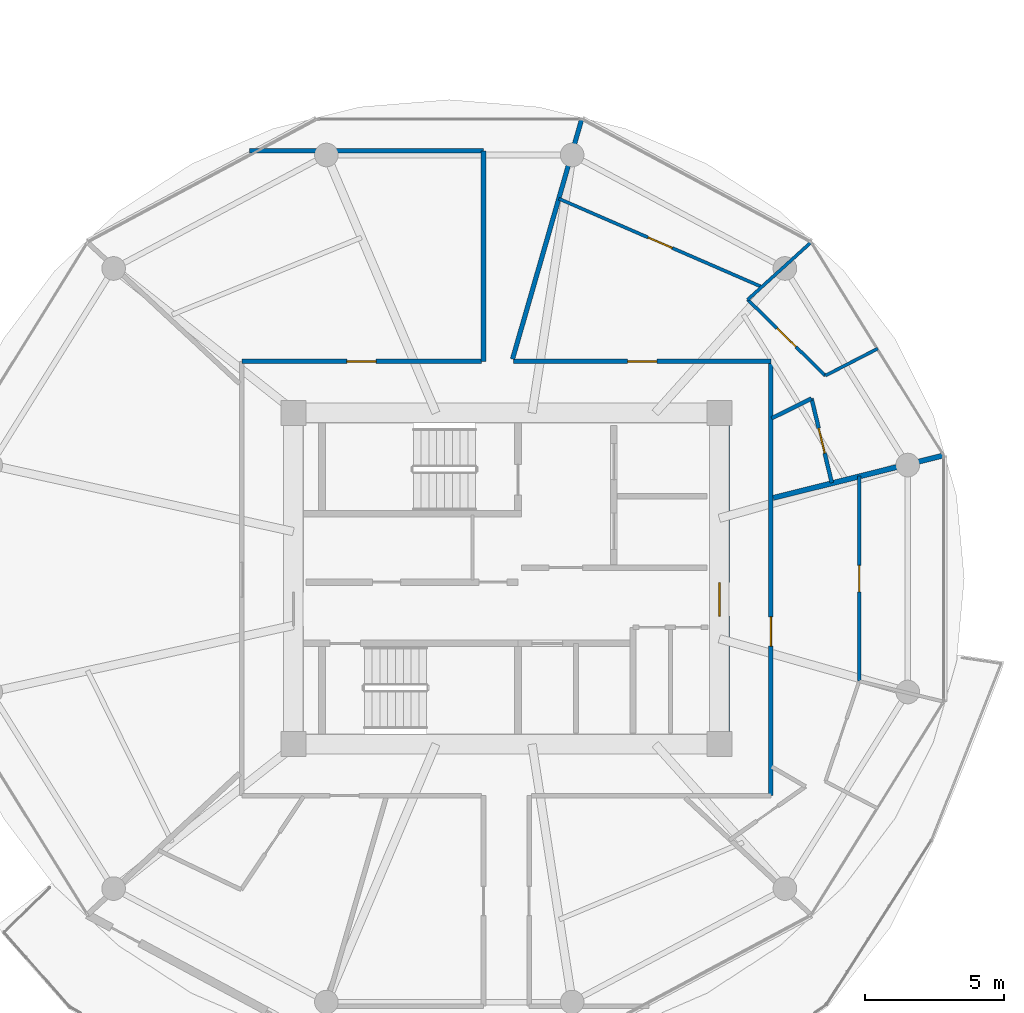
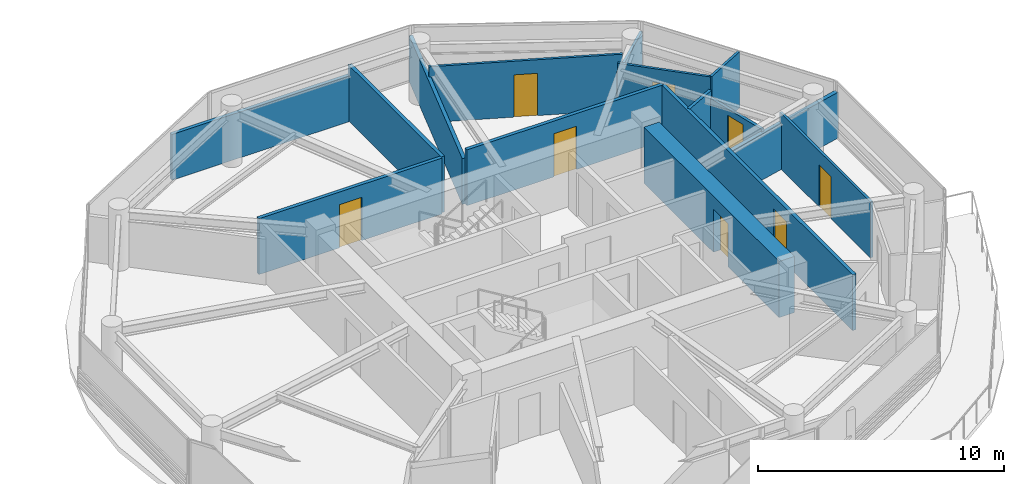
# One storey, part 17 of 24: 15 walls, 8 doors, 8 openings.
"""IFC4 building model written with IfcOpenShell, lengths in metres."""

from ifc_helpers import new_model, si_unit, direction, frame, frame_2d, origin, place, context, subcontext, project, spatial, rectangle, extrude, source, transform, mapped, material, layer, layer_set, type_object, type_shapes, element, fill, save


model = new_model("IFC4")

# Units and contexts
model_context = context("Model", 3, precision=1e-05, world=origin(), true_north=direction((0.0, 1.0)))
body_context = subcontext(model_context, "Body", "Model", "MODEL_VIEW")
ifc_project = project(units=[si_unit("LENGTHUNIT", "METRE"), si_unit("AREAUNIT", "SQUARE_METRE"), si_unit("VOLUMEUNIT", "CUBIC_METRE"), si_unit("PLANEANGLEUNIT", "RADIAN"), si_unit("MASSUNIT", "GRAM", prefix="KILO")], contexts=[model_context])

# Site, building, storey
site_placement = place(None, origin())
site = spatial("IfcSite", under=ifc_project, at=site_placement, CompositionType="ELEMENT")
building_placement = place(site_placement, origin())
building = spatial("IfcBuilding", under=site, at=building_placement, Name="Norrkilde Senior Care Towers", CompositionType="ELEMENT")
storey_placement = place(building_placement, frame((0.0, 0.0, 90.14990234375)))
storey = spatial("IfcBuildingStorey", under=building, at=storey_placement, Name="L27", CompositionType="ELEMENT", Elevation=90.14990234375)

# Wall, opening, door
ifc_material_1 = material(Name="Concrete C60/75", Category="concrete")
ifc_layer_1 = layer(ifc_material_1, 0.719970703125)
ifc_layer_set_1 = layer_set([ifc_layer_1], Name="Concrete C60/75")
wall_type_1 = type_object("IfcWallType", Name="Core Shear Wall Z2 720", PredefinedType="SHEAR", material=ifc_layer_set_1)
shared_shape_1 = source(origin(), body_context, "Body", "SweptSolid", [
    extrude(rectangle(XDim=11.0, YDim=0.719970703125, at=frame_2d((5.5, 0.0))), origin(), (0.0, 0.0, 1.0), 2.7900390625),
])
type_shapes(wall_type_1, [shared_shape_1])
wall_1_placement = place(storey_placement, frame((35.64990234375, 5.5, 0.0), z_axis=(0.0, 0.0, 1.0), x_axis=(0.0, -1.0, 0.0)))
wall_1 = element("IfcWall", 1, at=wall_1_placement, inside=storey, type_object=wall_type_1, Name="L27 Core E East Shear Wall", PredefinedType="SHEAR", context=body_context, shape_type="MappedRepresentation", body=[
    mapped(shared_shape_1, transform((0.0, 0.0, 0.0), x_axis=(1.0, 0.0, 0.0), y_axis=(0.0, 1.0, 0.0), z_axis=(0.0, 0.0, 1.0), scale=1.0)),
])
opening_1_placement = place(wall_1_placement, frame((5.64990234375, 0.0, 0.0)))
opening_1 = element("IfcOpeningElement", 2, at=opening_1_placement, cuts=wall_1, Name="Opening D-04", PredefinedType="OPENING", context=body_context, shape_type="SweptSolid", body=[
    extrude(rectangle(XDim=1.199951171875, YDim=2.14990234375, at=frame_2d((0.60009765625, 1.074951171875))), frame((0.0, 0.369873046875, 0.0), z_axis=(0.0, -1.0, 0.0), x_axis=(1.0, 0.0, 0.0)), (0.0, 0.0, 1.0), 0.739990234375),
])
ifc_material_2 = material(Name="Galvanised Painted Steel", Category="steel")
door_type_1 = type_object("IfcDoorType", Name="Firefighting Lobby Fire Door 1200x2150", OperationType="NOTDEFINED", PredefinedType="DOOR", material=ifc_material_2)
shared_shape_2 = source(origin(), body_context, "Body", "SweptSolid", [
    extrude(rectangle(XDim=1.199951171875, YDim=2.14990234375, at=frame_2d((0.60009765625, 1.074951171875))), frame((0.0, 0.02490234375, 0.0), z_axis=(0.0, -1.0, 0.0), x_axis=(1.0, 0.0, 0.0)), (0.0, 0.0, 1.0), 0.050048828125),
])
type_shapes(door_type_1, [shared_shape_2])
door_1_placement = place(opening_1_placement, frame((1.199951171875, 0.0, 0.0), z_axis=(0.0, 0.0, 1.0), x_axis=(-1.0, 0.0, 0.0)))
door_1 = element("IfcDoor", 3, at=door_1_placement, inside=storey, type_object=door_type_1, Name="L27 Core E East Portal Door", OperationType="SINGLE_SWING_RIGHT", OverallHeight=2.14990234375, OverallWidth=1.199951171875, PredefinedType="DOOR", context=body_context, shape_type="MappedRepresentation", body=[
    mapped(shared_shape_2, transform((0.0, 0.0, 0.0), x_axis=(1.0, 0.0, 0.0), y_axis=(0.0, 1.0, 0.0), z_axis=(0.0, 0.0, 1.0), scale=1.0)),
])
fill(opening_1, door_1)

ifc_material_3 = material(Name="Gypsum Acoustic Board")
ifc_layer_2 = layer(ifc_material_3, 0.1650390625)
ifc_layer_set_2 = layer_set([ifc_layer_2], Name="Gypsum Acoustic Board")
wall_type_2 = type_object("IfcWallType", Name="Corridor Rated Partition 165", PredefinedType="PARTITIONING", material=ifc_layer_set_2)
shared_shape_3 = source(origin(), body_context, "Body", "SweptSolid", [
    extrude(rectangle(XDim=15.60009765625, YDim=0.1650390625, at=frame_2d((7.800048828125, 0.0))), origin(), (0.0, 0.0, 1.0), 2.775146484375),
])
wall_2_placement = place(storey_placement, frame((37.5, 7.800048828125, 0.0), z_axis=(0.0, 0.0, 1.0), x_axis=(0.0, -1.0, 0.0)))
wall_2 = element("IfcWall", 4, at=wall_2_placement, inside=storey, type_object=wall_type_2, Name="WL-INT-L27-E-CRW-E-0", PredefinedType="PARTITIONING", context=body_context, shape_type="MappedRepresentation", body=[
    mapped(shared_shape_3, transform((0.0, 0.0, 0.0), x_axis=(1.0, 0.0, 0.0), y_axis=(0.0, 1.0, 0.0), z_axis=(0.0, 0.0, 1.0), scale=1.0)),
])
opening_2_placement = place(wall_2_placement, frame((9.177001953125, 0.0, 0.0)))
opening_2 = element("IfcOpeningElement", 5, at=opening_2_placement, cuts=wall_2, Name="Opening D-06", PredefinedType="OPENING", context=body_context, shape_type="SweptSolid", body=[
    extrude(rectangle(XDim=1.050048828125, YDim=2.14990234375, at=frame_2d((0.52490234375, 1.074951171875))), frame((0.0, 0.092529296875, 0.0), z_axis=(0.0, -1.0, 0.0), x_axis=(1.0, 0.0, 0.0)), (0.0, 0.0, 1.0), 0.18505859375),
])
ifc_material_4 = material(Name="Nordic Ash Timber", Category="wood")
door_type_2 = type_object("IfcDoorType", Name="Apartment Entrance Fire Door 1050x2150", OperationType="NOTDEFINED", PredefinedType="DOOR", material=ifc_material_4)
shared_shape_4 = source(origin(), body_context, "Body", "SweptSolid", [
    extrude(rectangle(XDim=1.050048828125, YDim=2.14990234375, at=frame_2d((0.52490234375, 1.074951171875))), frame((0.0, 0.02490234375, 0.0), z_axis=(0.0, -1.0, 0.0), x_axis=(1.0, 0.0, 0.0)), (0.0, 0.0, 1.0), 0.050048828125),
])
type_shapes(door_type_2, [shared_shape_4])
door_2_placement = place(opening_2_placement, frame((1.050048828125, 0.0, 0.0), z_axis=(0.0, 0.0, 1.0), x_axis=(-1.0, 0.0, 0.0)))
door_2 = element("IfcDoor", 6, at=door_2_placement, inside=storey, type_object=door_type_2, Name="Apartment 27C Entrance Door", OperationType="SINGLE_SWING_LEFT", OverallHeight=2.14990234375, OverallWidth=1.050048828125, PredefinedType="DOOR", context=body_context, shape_type="MappedRepresentation", body=[
    mapped(shared_shape_4, transform((0.0, 0.0, 0.0), x_axis=(1.0, 0.0, 0.0), y_axis=(0.0, 1.0, 0.0), z_axis=(0.0, 0.0, 1.0), scale=1.0)),
])
fill(opening_2, door_2)

# Wall
ifc_layer_3 = layer(ifc_material_3, 0.18994140625)
ifc_layer_set_3 = layer_set([ifc_layer_3], Name="Gypsum Acoustic Board")
wall_type_3 = type_object("IfcWallType", Name="Unit Demising Acoustic Wall 190", PredefinedType="PARTITIONING", material=ifc_layer_set_3)
shared_shape_5 = source(origin(), body_context, "Body", "SweptSolid", [
    extrude(rectangle(XDim=6.33056640625, YDim=0.18994140625, at=frame_2d((3.165283203125, 0.0))), origin(), (0.0, 0.0, 1.0), 2.275146484375),
])
type_shapes(wall_type_3, [shared_shape_5])
wall_3_placement = place(storey_placement, frame((37.580078125, 2.89599609375, 0.0), z_axis=(0.0, 0.0, 1.0), x_axis=(0.97036440661, 0.241646267062, 0.0)))
element("IfcWall", 7, at=wall_3_placement, inside=storey, type_object=wall_type_3, Name="WL-INT-L27-E-DEM-00-0", PredefinedType="PARTITIONING", context=body_context, shape_type="MappedRepresentation", body=[
    mapped(shared_shape_5, transform((0.0, 0.0, 0.0), x_axis=(1.0, 0.0, 0.0), y_axis=(0.0, 1.0, 0.0), z_axis=(0.0, 0.0, 1.0), scale=1.0)),
])

# Wall, opening, door
ifc_layer_4 = layer(ifc_material_3, 0.139892578125)
ifc_layer_set_4 = layer_set([ifc_layer_4], Name="Gypsum Acoustic Board")
wall_type_4 = type_object("IfcWallType", Name="En-suite Wet Room Wall 140", PredefinedType="PARTITIONING", material=ifc_layer_set_4)
shared_shape_6 = source(origin(), body_context, "Body", "SweptSolid", [
    extrude(rectangle(XDim=3.111572265625, YDim=0.139892578125, at=frame_2d((1.5556640625, 0.0))), origin(), (0.0, 0.0, 1.0), 2.4150390625),
])
wall_4_placement = place(storey_placement, frame((38.963134765625, 6.4658203125, 0.0), z_axis=(0.0, 0.0, 1.0), x_axis=(0.233737944029, -0.972299631555, 0.0)))
wall_4 = element("IfcWall", 8, at=wall_4_placement, inside=storey, type_object=wall_type_4, Name="WL-INT-L27-E-UBTF-00", PredefinedType="PARTITIONING", context=body_context, shape_type="MappedRepresentation", body=[
    mapped(shared_shape_6, transform((0.0, 0.0, 0.0), x_axis=(1.0, 0.0, 0.0), y_axis=(0.0, 1.0, 0.0), z_axis=(0.0, 0.0, 1.0), scale=1.0)),
])
opening_3_placement = place(wall_4_placement, frame((1.095703125, 0.0, 0.0)))
opening_3 = element("IfcOpeningElement", 9, at=opening_3_placement, cuts=wall_4, Name="Opening D-08", PredefinedType="OPENING", context=body_context, shape_type="SweptSolid", body=[
    extrude(rectangle(XDim=0.919921875, YDim=2.10009765625, at=frame_2d((0.4599609375, 1.050048828125))), frame((0.0, 0.079833984375, 0.0), z_axis=(0.0, -1.0, 0.0), x_axis=(1.0, 0.0, 0.0)), (0.0, 0.0, 1.0), 0.159912109375),
])
door_type_3 = type_object("IfcDoorType", Name="Accessible Wet Room Door 920x2100", OperationType="NOTDEFINED", PredefinedType="DOOR", material=ifc_material_4)
shared_shape_7 = source(origin(), body_context, "Body", "SweptSolid", [
    extrude(rectangle(XDim=0.919921875, YDim=2.10009765625, at=frame_2d((0.4599609375, 1.050048828125))), frame((0.0, 0.02490234375, 0.0), z_axis=(0.0, -1.0, 0.0), x_axis=(1.0, 0.0, 0.0)), (0.0, 0.0, 1.0), 0.050048828125),
])
type_shapes(door_type_3, [shared_shape_7])
door_3_placement = place(opening_3_placement, origin())
door_3 = element("IfcDoor", 10, at=door_3_placement, inside=storey, type_object=door_type_3, Name="Apartment 27D Bathroom Door", OperationType="SINGLE_SWING_RIGHT", OverallHeight=2.10009765625, OverallWidth=0.919921875, PredefinedType="DOOR", context=body_context, shape_type="MappedRepresentation", body=[
    mapped(shared_shape_7, transform((0.0, 0.0, 0.0), x_axis=(1.0, 0.0, 0.0), y_axis=(0.0, 1.0, 0.0), z_axis=(0.0, 0.0, 1.0), scale=1.0)),
])
fill(opening_3, door_3)

shared_shape_8 = source(origin(), body_context, "Body", "SweptSolid", [
    extrude(rectangle(XDim=8.60009765625, YDim=0.1650390625, at=frame_2d((4.300048828125, 0.0))), origin(), (0.0, 0.0, 1.0), 2.775146484375),
])
wall_5_placement = place(storey_placement, frame((18.5, 7.800048828125, 0.0), z_axis=(0.0, 0.0, 1.0), x_axis=(1.0, 0.0, 0.0)))
wall_5 = element("IfcWall", 11, at=wall_5_placement, inside=storey, type_object=wall_type_2, Name="WL-INT-L27-E-CRW-N-0", PredefinedType="PARTITIONING", context=body_context, shape_type="MappedRepresentation", body=[
    mapped(shared_shape_8, transform((0.0, 0.0, 0.0), x_axis=(1.0, 0.0, 0.0), y_axis=(0.0, 1.0, 0.0), z_axis=(0.0, 0.0, 1.0), scale=1.0)),
])
opening_4_placement = place(wall_5_placement, frame((3.77490234375, 0.0, 0.0)))
opening_4 = element("IfcOpeningElement", 12, at=opening_4_placement, cuts=wall_5, Name="Opening D-06", PredefinedType="OPENING", context=body_context, shape_type="SweptSolid", body=[
    extrude(rectangle(XDim=1.050048828125, YDim=2.14990234375, at=frame_2d((0.52490234375, 1.074951171875))), frame((0.0, 0.092529296875, 0.0), z_axis=(0.0, -1.0, 0.0), x_axis=(1.0, 0.0, 0.0)), (0.0, 0.0, 1.0), 0.18505859375),
])
door_4_placement = place(opening_4_placement, frame((1.050048828125, 0.0, 0.0), z_axis=(0.0, 0.0, 1.0), x_axis=(-1.0, 0.0, 0.0)))
door_4 = element("IfcDoor", 13, at=door_4_placement, inside=storey, type_object=door_type_2, Name="L27 Reading Lounge NWL Door", OperationType="SINGLE_SWING_RIGHT", OverallHeight=2.14990234375, OverallWidth=1.050048828125, PredefinedType="DOOR", context=body_context, shape_type="MappedRepresentation", body=[
    mapped(shared_shape_4, transform((0.0, 0.0, 0.0), x_axis=(1.0, 0.0, 0.0), y_axis=(0.0, 1.0, 0.0), z_axis=(0.0, 0.0, 1.0), scale=1.0)),
])
fill(opening_4, door_4)

shared_shape_9 = source(origin(), body_context, "Body", "SweptSolid", [
    extrude(rectangle(XDim=9.234130859375, YDim=0.1650390625, at=frame_2d((4.6171875, 0.0))), origin(), (0.0, 0.0, 1.0), 2.775146484375),
])
wall_6_placement = place(storey_placement, frame((28.265869140625, 7.800048828125, 0.0), z_axis=(0.0, 0.0, 1.0), x_axis=(1.0, 0.0, 0.0)))
wall_6 = element("IfcWall", 14, at=wall_6_placement, inside=storey, type_object=wall_type_2, Name="WL-INT-L27-E-CRW-N-1", PredefinedType="PARTITIONING", context=body_context, shape_type="MappedRepresentation", body=[
    mapped(shared_shape_9, transform((0.0, 0.0, 0.0), x_axis=(1.0, 0.0, 0.0), y_axis=(0.0, 1.0, 0.0), z_axis=(0.0, 0.0, 1.0), scale=1.0)),
])
opening_5_placement = place(wall_6_placement, frame((4.092041015625, 0.0, 0.0)))
opening_5 = element("IfcOpeningElement", 15, at=opening_5_placement, cuts=wall_6, Name="Opening D-06", PredefinedType="OPENING", context=body_context, shape_type="SweptSolid", body=[
    extrude(rectangle(XDim=1.050048828125, YDim=2.14990234375, at=frame_2d((0.52490234375, 1.074951171875))), frame((0.0, 0.092529296875, 0.0), z_axis=(0.0, -1.0, 0.0), x_axis=(1.0, 0.0, 0.0)), (0.0, 0.0, 1.0), 0.18505859375),
])
door_5_placement = place(opening_5_placement, frame((1.050048828125, 0.0, 0.0), z_axis=(0.0, 0.0, 1.0), x_axis=(-1.0, 0.0, 0.0)))
door_5 = element("IfcDoor", 16, at=door_5_placement, inside=storey, type_object=door_type_2, Name="Apartment 27D Entrance Door", OperationType="SINGLE_SWING_LEFT", OverallHeight=2.14990234375, OverallWidth=1.050048828125, PredefinedType="DOOR", context=body_context, shape_type="MappedRepresentation", body=[
    mapped(shared_shape_4, transform((0.0, 0.0, 0.0), x_axis=(1.0, 0.0, 0.0), y_axis=(0.0, 1.0, 0.0), z_axis=(0.0, 0.0, 1.0), scale=1.0)),
])
fill(opening_5, door_5)

# Walls
shared_shape_10 = source(origin(), body_context, "Body", "SweptSolid", [
    extrude(rectangle(XDim=8.9892578125, YDim=0.1650390625, at=frame_2d((4.49462890625, 0.0))), origin(), (0.0, 0.0, 1.0), 2.275146484375),
])
wall_7_placement = place(storey_placement, frame((28.221923828125, 7.8798828125, 0.0), z_axis=(0.0, 0.0, 1.0), x_axis=(0.27702323008, 0.960863221274, 0.0)))
element("IfcWall", 17, at=wall_7_placement, inside=storey, type_object=wall_type_2, Name="WL-INT-L27-E-DEM-02-0", PredefinedType="PARTITIONING", context=body_context, shape_type="MappedRepresentation", body=[
    mapped(shared_shape_10, transform((0.0, 0.0, 0.0), x_axis=(1.0, 0.0, 0.0), y_axis=(0.0, 1.0, 0.0), z_axis=(0.0, 0.0, 1.0), scale=1.0)),
])
shared_shape_11 = source(origin(), body_context, "Body", "SweptSolid", [
    extrude(rectangle(XDim=7.56005859375, YDim=0.1650390625, at=frame_2d((3.780029296875, 0.0))), origin(), (0.0, 0.0, 1.0), 2.775146484375),
])
wall_8_placement = place(storey_placement, frame((27.179931640625, 7.800048828125, 0.0), z_axis=(0.0, 0.0, 1.0), x_axis=(0.0, 1.0, 0.0)))
element("IfcWall", 18, at=wall_8_placement, inside=storey, type_object=wall_type_2, Name="WL-INT-L27-E-PKW-NWL", PredefinedType="PARTITIONING", context=body_context, shape_type="MappedRepresentation", body=[
    mapped(shared_shape_11, transform((0.0, 0.0, 0.0), x_axis=(1.0, 0.0, 0.0), y_axis=(0.0, 1.0, 0.0), z_axis=(0.0, 0.0, 1.0), scale=1.0)),
])
shared_shape_12 = source(origin(), body_context, "Body", "SweptSolid", [
    extrude(rectangle(XDim=8.406982421875, YDim=0.1650390625, at=frame_2d((4.20361328125, 0.0))), origin(), (0.0, 0.0, 1.0), 2.275146484375),
])
type_shapes(wall_type_2, [shared_shape_3, shared_shape_8, shared_shape_9, shared_shape_10, shared_shape_11, shared_shape_12])
wall_9_placement = place(storey_placement, frame((18.77294921875, 15.360107421875, 0.0), z_axis=(0.0, 0.0, 1.0), x_axis=(1.0, 0.0, 0.0)))
element("IfcWall", 19, at=wall_9_placement, inside=storey, type_object=wall_type_2, Name="WL-INT-L27-E-PKH-NWL-0", PredefinedType="PARTITIONING", context=body_context, shape_type="MappedRepresentation", body=[
    mapped(shared_shape_12, transform((0.0, 0.0, 0.0), x_axis=(1.0, 0.0, 0.0), y_axis=(0.0, 1.0, 0.0), z_axis=(0.0, 0.0, 1.0), scale=1.0)),
])

# Wall, opening, door
ifc_layer_5 = layer(ifc_material_3, 0.114990234375)
ifc_layer_set_5 = layer_set([ifc_layer_5], Name="Gypsum Acoustic Board")
wall_type_5 = type_object("IfcWallType", Name="Internal Room Partition 115", PredefinedType="PARTITIONING", material=ifc_layer_set_5)
shared_shape_13 = source(origin(), body_context, "Body", "SweptSolid", [
    extrude(rectangle(XDim=7.37548828125, YDim=0.114990234375, at=frame_2d((3.687744140625, 0.0))), origin(), (0.0, 0.0, 1.0), 2.775146484375),
])
wall_10_placement = place(storey_placement, frame((40.677978515625, -3.687744140625, 0.0), z_axis=(0.0, 0.0, 1.0), x_axis=(0.0, 1.0, 0.0)))
wall_10 = element("IfcWall", 20, at=wall_10_placement, inside=storey, type_object=wall_type_5, Name="WL-INT-L27-E-UBC-10-1", PredefinedType="PARTITIONING", context=body_context, shape_type="MappedRepresentation", body=[
    mapped(shared_shape_13, transform((0.0, 0.0, 0.0), x_axis=(1.0, 0.0, 0.0), y_axis=(0.0, 1.0, 0.0), z_axis=(0.0, 0.0, 1.0), scale=1.0)),
])
opening_6_placement = place(wall_10_placement, frame((3.212646484375, 0.0, 0.0)))
opening_6 = element("IfcOpeningElement", 21, at=opening_6_placement, cuts=wall_10, Name="Opening D-07", PredefinedType="OPENING", context=body_context, shape_type="SweptSolid", body=[
    extrude(rectangle(XDim=0.949951171875, YDim=2.10009765625, at=frame_2d((0.47509765625, 1.050048828125))), frame((0.0, 0.0673828125, 0.0), z_axis=(0.0, -1.0, 0.0), x_axis=(1.0, 0.0, 0.0)), (0.0, 0.0, 1.0), 0.135009765625),
])
door_type_4 = type_object("IfcDoorType", Name="Internal Suite Bedroom Door 950x2100", OperationType="NOTDEFINED", PredefinedType="DOOR", material=ifc_material_4)
shared_shape_14 = source(origin(), body_context, "Body", "SweptSolid", [
    extrude(rectangle(XDim=0.949951171875, YDim=2.10009765625, at=frame_2d((0.47509765625, 1.050048828125))), frame((0.0, 0.02490234375, 0.0), z_axis=(0.0, -1.0, 0.0), x_axis=(1.0, 0.0, 0.0)), (0.0, 0.0, 1.0), 0.050048828125),
])
type_shapes(door_type_4, [shared_shape_14])
door_6_placement = place(opening_6_placement, origin())
door_6 = element("IfcDoor", 22, at=door_6_placement, inside=storey, type_object=door_type_4, Name="Apartment 27C Bedroom 1 Door", OperationType="SINGLE_SWING_RIGHT", OverallHeight=2.10009765625, OverallWidth=0.949951171875, PredefinedType="DOOR", context=body_context, shape_type="MappedRepresentation", body=[
    mapped(shared_shape_14, transform((0.0, 0.0, 0.0), x_axis=(1.0, 0.0, 0.0), y_axis=(0.0, 1.0, 0.0), z_axis=(0.0, 0.0, 1.0), scale=1.0)),
])
fill(opening_6, door_6)

# Wall
shared_shape_15 = source(origin(), body_context, "Body", "SweptSolid", [
    extrude(rectangle(XDim=2.1171875, YDim=0.114990234375, at=frame_2d((1.05859375, 0.0))), origin(), (0.0, 0.0, 1.0), 2.775146484375),
])
wall_11_placement = place(storey_placement, frame((39.459716796875, 7.288818359375, 0.0), z_axis=(0.0, 0.0, 1.0), x_axis=(0.888941834945, 0.45802010227, 0.0)))
element("IfcWall", 23, at=wall_11_placement, inside=storey, type_object=wall_type_5, Name="WL-INT-L27-E-UKTS-00", PredefinedType="PARTITIONING", context=body_context, shape_type="MappedRepresentation", body=[
    mapped(shared_shape_15, transform((0.0, 0.0, 0.0), x_axis=(1.0, 0.0, 0.0), y_axis=(0.0, 1.0, 0.0), z_axis=(0.0, 0.0, 1.0), scale=1.0)),
])

# Wall, opening, door
shared_shape_16 = source(origin(), body_context, "Body", "SweptSolid", [
    extrude(rectangle(XDim=7.937744140625, YDim=0.114990234375, at=frame_2d((3.96875, 0.0))), origin(), (0.0, 0.0, 1.0), 2.775146484375),
])
wall_12_placement = place(storey_placement, frame((37.164306640625, 10.4794921875, 0.0), z_axis=(0.0, 0.0, 1.0), x_axis=(-0.917052940979, 0.398765474235, 0.0)))
wall_12 = element("IfcWall", 24, at=wall_12_placement, inside=storey, type_object=wall_type_5, Name="WL-INT-L27-E-UBC-00-1", PredefinedType="PARTITIONING", context=body_context, shape_type="MappedRepresentation", body=[
    mapped(shared_shape_16, transform((0.0, 0.0, 0.0), x_axis=(1.0, 0.0, 0.0), y_axis=(0.0, 1.0, 0.0), z_axis=(0.0, 0.0, 1.0), scale=1.0)),
])
opening_7_placement = place(wall_12_placement, frame((3.493896484375, 0.0, 0.0)))
opening_7 = element("IfcOpeningElement", 25, at=opening_7_placement, cuts=wall_12, Name="Opening D-07", PredefinedType="OPENING", context=body_context, shape_type="SweptSolid", body=[
    extrude(rectangle(XDim=0.949951171875, YDim=2.10009765625, at=frame_2d((0.47509765625, 1.050048828125))), frame((0.0, 0.0673828125, 0.0), z_axis=(0.0, -1.0, 0.0), x_axis=(1.0, 0.0, 0.0)), (0.0, 0.0, 1.0), 0.135009765625),
])
door_7_placement = place(opening_7_placement, origin())
door_7 = element("IfcDoor", 26, at=door_7_placement, inside=storey, type_object=door_type_4, Name="Apartment 27D Bedroom 1 Door", OperationType="SINGLE_SWING_RIGHT", OverallHeight=2.10009765625, OverallWidth=0.949951171875, PredefinedType="DOOR", context=body_context, shape_type="MappedRepresentation", body=[
    mapped(shared_shape_14, transform((0.0, 0.0, 0.0), x_axis=(1.0, 0.0, 0.0), y_axis=(0.0, 1.0, 0.0), z_axis=(0.0, 0.0, 1.0), scale=1.0)),
])
fill(opening_7, door_7)

# Walls
shared_shape_17 = source(origin(), body_context, "Body", "SweptSolid", [
    extrude(rectangle(XDim=3.101806640625, YDim=0.114990234375, at=frame_2d((1.55078125, 0.0))), origin(), (0.0, 0.0, 1.0), 2.275146484375),
])
wall_13_placement = place(storey_placement, frame((36.661376953125, 10.009521484375, 0.0), z_axis=(0.0, 0.0, 1.0), x_axis=(0.741263481794, 0.671214161471, 0.0)))
element("IfcWall", 27, at=wall_13_placement, inside=storey, type_object=wall_type_5, Name="WL-INT-L27-E-UBR-00-1", PredefinedType="PARTITIONING", context=body_context, shape_type="MappedRepresentation", body=[
    mapped(shared_shape_17, transform((0.0, 0.0, 0.0), x_axis=(1.0, 0.0, 0.0), y_axis=(0.0, 1.0, 0.0), z_axis=(0.0, 0.0, 1.0), scale=1.0)),
])
shared_shape_18 = source(origin(), body_context, "Body", "SweptSolid", [
    extrude(rectangle(XDim=1.600341796875, YDim=0.139892578125, at=frame_2d((0.80029296875, 0.0))), origin(), (0.0, 0.0, 1.0), 2.775146484375),
])
type_shapes(wall_type_4, [shared_shape_6, shared_shape_18])
wall_14_placement = place(storey_placement, frame((37.530029296875, 5.753662109375, 0.0), z_axis=(0.0, 0.0, 1.0), x_axis=(0.895522919837, 0.445015393044, 0.0)))
element("IfcWall", 28, at=wall_14_placement, inside=storey, type_object=wall_type_4, Name="WL-INT-L27-E-UBTS-00", PredefinedType="PARTITIONING", context=body_context, shape_type="MappedRepresentation", body=[
    mapped(shared_shape_18, transform((0.0, 0.0, 0.0), x_axis=(1.0, 0.0, 0.0), y_axis=(0.0, 1.0, 0.0), z_axis=(0.0, 0.0, 1.0), scale=1.0)),
])

# Wall, opening, door
shared_shape_19 = source(origin(), body_context, "Body", "SweptSolid", [
    extrude(rectangle(XDim=3.90234375, YDim=0.114990234375, at=frame_2d((1.951171875, 0.0))), origin(), (0.0, 0.0, 1.0), 2.775146484375),
])
type_shapes(wall_type_5, [shared_shape_13, shared_shape_15, shared_shape_16, shared_shape_17, shared_shape_19])
wall_15_placement = place(storey_placement, frame((39.459716796875, 7.288818359375, 0.0), z_axis=(0.0, 0.0, 1.0), x_axis=(-0.714853061854, 0.699274695637, 0.0)))
wall_15 = element("IfcWall", 29, at=wall_15_placement, inside=storey, type_object=wall_type_5, Name="WL-INT-L27-E-UKTF-00", PredefinedType="PARTITIONING", context=body_context, shape_type="MappedRepresentation", body=[
    mapped(shared_shape_19, transform((0.0, 0.0, 0.0), x_axis=(1.0, 0.0, 0.0), y_axis=(0.0, 1.0, 0.0), z_axis=(0.0, 0.0, 1.0), scale=1.0)),
])
opening_8_placement = place(wall_15_placement, frame((1.476318359375, 0.0, 0.0)))
opening_8 = element("IfcOpeningElement", 30, at=opening_8_placement, cuts=wall_15, Name="Opening D-07", PredefinedType="OPENING", context=body_context, shape_type="SweptSolid", body=[
    extrude(rectangle(XDim=0.949951171875, YDim=2.10009765625, at=frame_2d((0.47509765625, 1.050048828125))), frame((0.0, 0.0673828125, 0.0), z_axis=(0.0, -1.0, 0.0), x_axis=(1.0, 0.0, 0.0)), (0.0, 0.0, 1.0), 0.135009765625),
])
door_8_placement = place(opening_8_placement, frame((0.949951171875, 0.0, 0.0), z_axis=(0.0, 0.0, 1.0), x_axis=(-1.0, 0.0, 0.0)))
door_8 = element("IfcDoor", 31, at=door_8_placement, inside=storey, type_object=door_type_4, Name="Apartment 27D Kitchen Door", OperationType="SINGLE_SWING_LEFT", OverallHeight=2.10009765625, OverallWidth=0.949951171875, PredefinedType="DOOR", context=body_context, shape_type="MappedRepresentation", body=[
    mapped(shared_shape_14, transform((0.0, 0.0, 0.0), x_axis=(1.0, 0.0, 0.0), y_axis=(0.0, 1.0, 0.0), z_axis=(0.0, 0.0, 1.0), scale=1.0)),
])
fill(opening_8, door_8)

save(model, "model.ifc")
